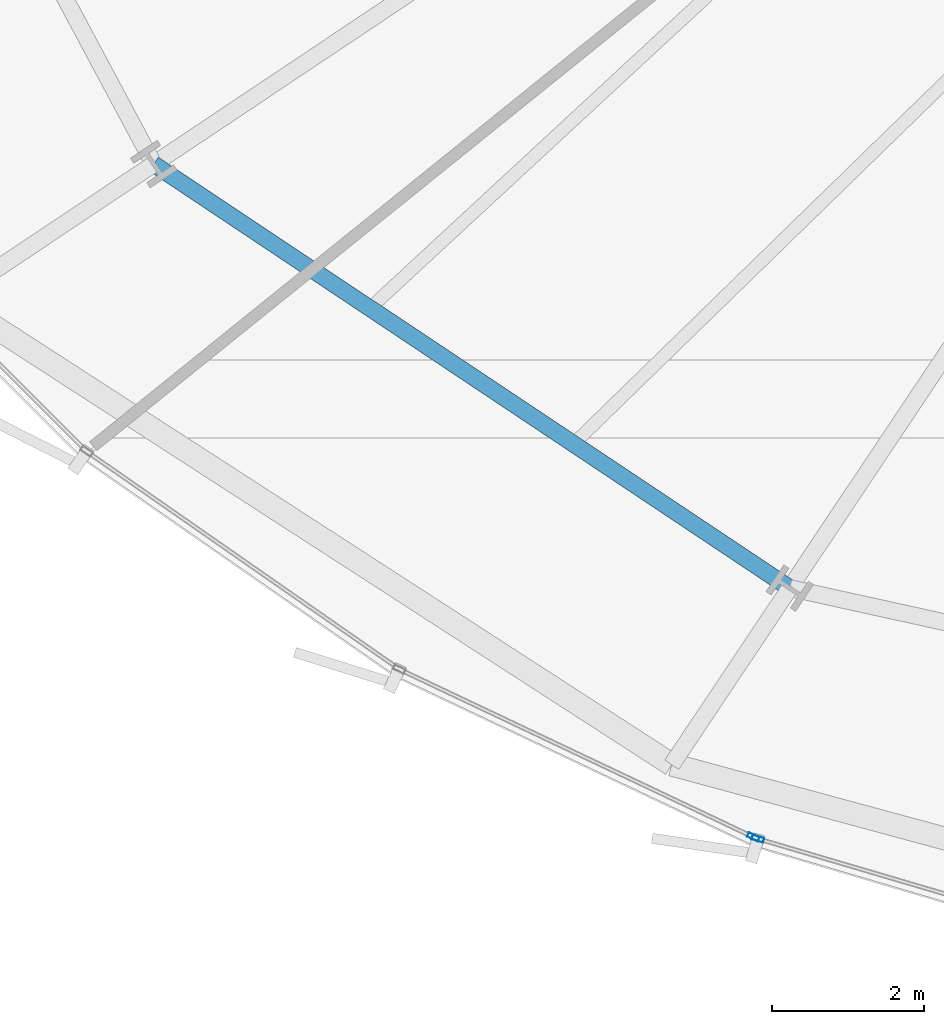
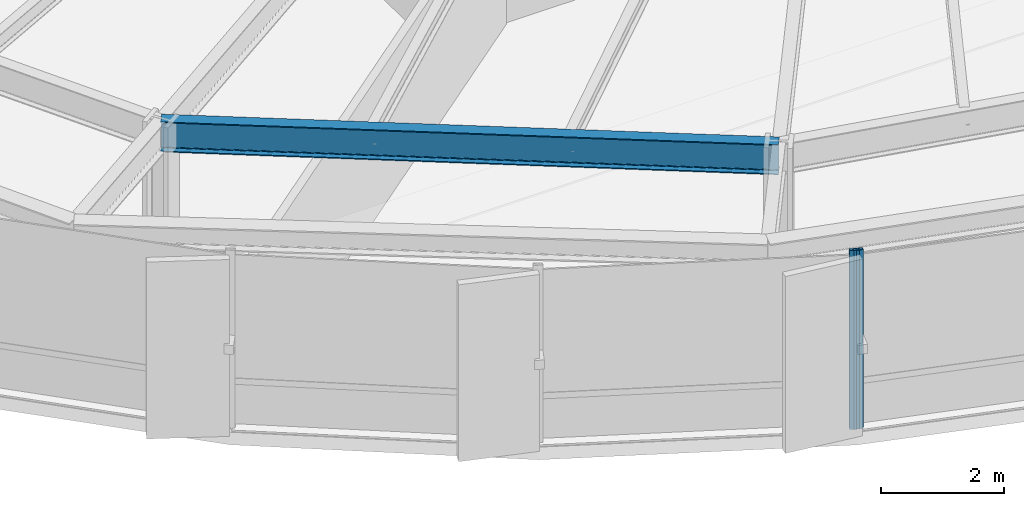
# One storey, part 4 of 37: 2 members, 1 beam, 2 elements without a shape of their own.
"""IFC4 building model written with IfcOpenShell, lengths in metres."""

from ifc_helpers import new_model, si_unit, direction, frame, origin, origin_2d, place, context, subcontext, project, spatial, hollow_rectangle, i_section, extrude, source, transform, mapped, material, layer, layer_set, material_profile, profile_set, type_object, element, aggregate, save


model = new_model("IFC4")

# Units and contexts
model_context = context("Model", 3, precision=1e-05, world=origin(), true_north=direction((0.0, 1.0)))
body_context = subcontext(model_context, "Body", "Model", "MODEL_VIEW")
ifc_project = project(units=[si_unit("LENGTHUNIT", "METRE"), si_unit("AREAUNIT", "SQUARE_METRE"), si_unit("VOLUMEUNIT", "CUBIC_METRE"), si_unit("PLANEANGLEUNIT", "RADIAN"), si_unit("MASSUNIT", "GRAM", prefix="KILO"), si_unit("THERMODYNAMICTEMPERATUREUNIT", "KELVIN")], contexts=[model_context])

# Site, building, storey
site_placement = place(None, origin())
site = spatial("IfcSite", under=ifc_project, at=site_placement, CompositionType="ELEMENT")
building_placement = place(site_placement, origin())
building = spatial("IfcBuilding", under=site, at=building_placement, Name="Kethvar Cultural Tower", CompositionType="ELEMENT")
storey_placement = place(building_placement, frame((0.0, 0.0, 48.60009765625)))
storey = spatial("IfcBuildingStorey", under=building, at=storey_placement, Name="L11", CompositionType="ELEMENT", Elevation=48.60009765625)

# Beam
ifc_material_1 = material(Name="Steel S355J2", Category="steel")
ifc_material_profile_1 = material_profile(ifc_material_1, i_section(OverallWidth=0.219970703125, OverallDepth=0.60009765625, WebThickness=0.011962890625, FlangeThickness=0.01904296875, FilletRadius=0.02392578125, at=origin_2d()), Name="Steel S355J2 — IPE600")
ifc_profile_set_1 = profile_set([ifc_material_profile_1], Name="Steel S355J2 — IPE600")
beam_type = type_object("IfcBeamType", Name="BM-IPE600", PredefinedType="BEAM", material=ifc_profile_set_1)
shared_shape_1 = source(origin(), body_context, "Body", "SweptSolid", [
    extrude(i_section(OverallWidth=0.219970703125, OverallDepth=0.60009765625, WebThickness=0.011962890625, FlangeThickness=0.01904296875, FilletRadius=0.02392578125, at=origin_2d()), origin(), (0.0, 0.0, 1.0), 10.06787109375),
])
beam_placement = place(storey_placement, frame((24.9248046875, 13.183349609375, 3.247802734375), z_axis=(0.832065216665, -0.554677812083, 0.0), x_axis=(0.554677812083, 0.832065216665, 0.0)))
element("IfcBeam", 1, at=beam_placement, inside=storey, type_object=beam_type, Name="L11 Column Ring Tie Beam CR-10", PredefinedType="BEAM", context=body_context, shape_type="MappedRepresentation", body=[
    mapped(shared_shape_1, transform((0.0, 0.0, 0.0), scale=1.0)),
])

# Curtain wall, member
ifc_material_2 = material(Name="Aluminium 6063-T6", Category="aluminium")
ifc_layer = layer(ifc_material_2, 0.179931640625, Name="Aluminium 6063-T6", Category="aluminium")
ifc_layer_set = layer_set([ifc_layer], Name="Aluminium 6063-T6 (180 mm)")
curtain_wall_type = type_object("IfcCurtainWallType", Name="CW-SYS-02-Z1", PredefinedType="NOTDEFINED", material=ifc_layer_set)
curtain_wall_1_placement = place(storey_placement, origin())
curtain_wall_1 = element("IfcCurtainWall", 2, at=curtain_wall_1_placement, inside=storey, type_object=curtain_wall_type, Name="L11 Curtain Wall Run 04", PredefinedType="NOTDEFINED")
ifc_material_profile_2 = material_profile(ifc_material_2, hollow_rectangle(XDim=0.06494140625, YDim=0.159912109375, WallThickness=0.0048828125, at=origin_2d()), Name="Aluminium 6063-T6 — RHS160x65x5")
ifc_profile_set_2 = profile_set([ifc_material_profile_2], Name="Aluminium 6063-T6 — RHS160x65x5")
member_type = type_object("IfcMemberType", Name="CW-SYS-02-Z1-MUL", PredefinedType="MULLION", material=ifc_profile_set_2)
shared_shape_2 = source(origin(), body_context, "Body", "SweptSolid", [
    extrude(hollow_rectangle(XDim=0.06494140625, YDim=0.159912109375, WallThickness=0.0048828125, at=origin_2d()), origin(), (0.0, 0.0, 1.0), 3.5498046875),
])
member_1_placement = place(storey_placement, frame((32.8212890625, 4.320556640625, 0.0), z_axis=(0.0, 0.0, 1.0), x_axis=(0.428241295287, 0.903664425, 0.0)))
member_1 = element("IfcMember", 3, at=member_1_placement, type_object=member_type, Name="CW-L11-R04 Mullion 7", PredefinedType="MULLION", context=body_context, shape_type="MappedRepresentation", body=[
    mapped(shared_shape_2, transform((0.0, 0.0, 0.0), scale=1.0)),
])
aggregate(curtain_wall_1, [member_1])

curtain_wall_2_placement = place(storey_placement, origin())
curtain_wall_2 = element("IfcCurtainWall", 4, at=curtain_wall_2_placement, inside=storey, type_object=curtain_wall_type, Name="L11 Curtain Wall Run 05", PredefinedType="NOTDEFINED")
member_2_placement = place(storey_placement, frame((32.882568359375, 4.29736328125, 0.0), z_axis=(0.0, 0.0, 1.0), x_axis=(0.282693044806, 0.959210426558, 0.0)))
member_2 = element("IfcMember", 5, at=member_2_placement, type_object=member_type, Name="CW-L11-R05 Mullion 1", PredefinedType="MULLION", context=body_context, shape_type="MappedRepresentation", body=[
    mapped(shared_shape_2, transform((0.0, 0.0, 0.0), scale=1.0)),
])
aggregate(curtain_wall_2, [member_2])

save(model, "model.ifc")
